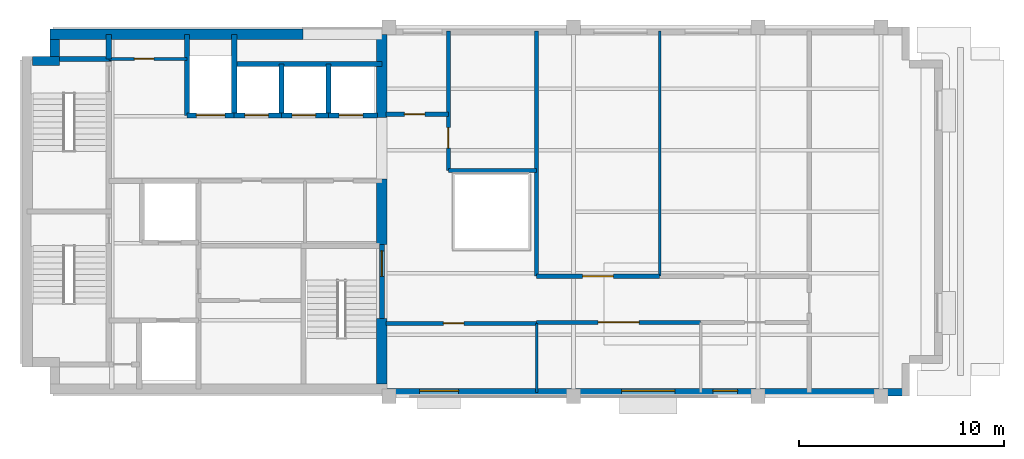
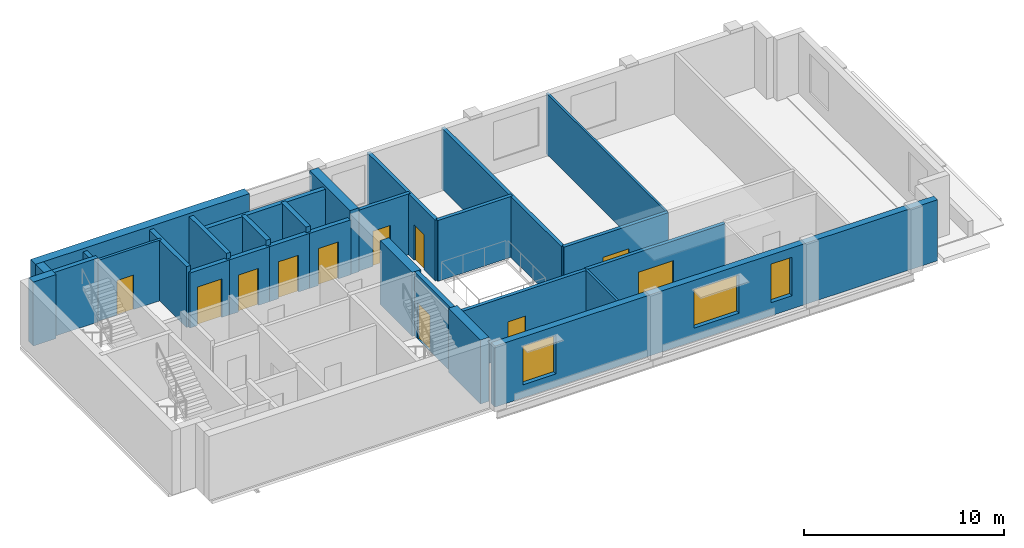
# One storey, part 3 of 5: 29 walls, 11 doors, 3 windows, 14 openings.
"""IFC4 building model written with IfcOpenShell, lengths in metres."""

from ifc_helpers import new_model, si_unit, direction, frame, frame_2d, origin, place, context, subcontext, project, spatial, rectangle, extrude, material, layer, layer_set, type_object, element, fill, save


model = new_model("IFC4")

# Units and contexts
model_context = context("Model", 3, precision=1e-05, world=origin(), true_north=direction((0.0, 1.0)))
body_context = subcontext(model_context, "Body", "Model", "MODEL_VIEW")
ifc_project = project(units=[si_unit("LENGTHUNIT", "METRE"), si_unit("AREAUNIT", "SQUARE_METRE"), si_unit("VOLUMEUNIT", "CUBIC_METRE"), si_unit("PLANEANGLEUNIT", "RADIAN"), si_unit("MASSUNIT", "GRAM", prefix="KILO")], contexts=[model_context])

# Site, building, storey
site_placement = place(None, origin())
site = spatial("IfcSite", under=ifc_project, at=site_placement, CompositionType="ELEMENT")
building_placement = place(site_placement, origin())
building = spatial("IfcBuilding", under=site, at=building_placement, Name="Mawjdan Bourse Tower", CompositionType="ELEMENT")
storey_placement = place(building_placement, frame((0.0, 0.0, 285.89990234375)))
storey = spatial("IfcBuildingStorey", under=building, at=storey_placement, Name="L70", CompositionType="ELEMENT", Elevation=285.89990234375)

# Wall, openings, windows
ifc_material_1 = material(Name="Brick Masonry Terracotta Red", Category="masonry")
ifc_layer_1 = layer(ifc_material_1, 0.3798828125)
ifc_layer_set_1 = layer_set([ifc_layer_1], Name="Brick Masonry Terracotta Red")
wall_type_1 = type_object("IfcWallType", Name="WL-BRK-RED-380", PredefinedType="STANDARD", material=ifc_layer_set_1)
wall_1_placement = place(storey_placement, frame((23.89990234375, 3.18994140625, 0.0), z_axis=(0.0, 0.0, 1.0), x_axis=(1.0, 0.0, 0.0)))
wall_1 = element("IfcWall", 1, at=wall_1_placement, inside=storey, type_object=wall_type_1, Name="L70 Exterior Brick Wall 1", PredefinedType="STANDARD", context=body_context, shape_type="SweptSolid", body=[
    extrude(rectangle(XDim=25.5, YDim=0.3798828125, at=frame_2d((12.75, 0.0))), origin(), (0.0, 0.0, 1.0), 3.715087890625),
])
opening_1_placement = place(wall_1_placement, frame((1.60009765625, 0.0, 0.800048828125)))
opening_1 = element("IfcOpeningElement", 2, at=opening_1_placement, cuts=wall_1, Name="Opening W-L70-01", PredefinedType="OPENING", context=body_context, shape_type="SweptSolid", body=[
    extrude(rectangle(XDim=1.89990234375, YDim=2.35009765625, at=frame_2d((0.949951171875, 1.175048828125))), frame((0.0, 0.199951171875, 0.0), z_axis=(0.0, -1.0, 0.0), x_axis=(1.0, 0.0, 0.0)), (0.0, 0.0, 1.0), 0.39990234375),
])
opening_2_placement = place(wall_1_placement, frame((11.449951171875, 0.0, 0.800048828125)))
opening_2 = element("IfcOpeningElement", 3, at=opening_2_placement, cuts=wall_1, Name="Opening W-L70-02", PredefinedType="OPENING", context=body_context, shape_type="SweptSolid", body=[
    extrude(rectangle(XDim=2.60009765625, YDim=2.35009765625, at=frame_2d((1.300048828125, 1.175048828125))), frame((0.0, 0.199951171875, 0.0), z_axis=(0.0, -1.0, 0.0), x_axis=(1.0, 0.0, 0.0)), (0.0, 0.0, 1.0), 0.39990234375),
])
opening_3_placement = place(wall_1_placement, frame((15.904296875, 0.0, 0.800048828125)))
opening_3 = element("IfcOpeningElement", 4, at=opening_3_placement, cuts=wall_1, Name="Opening W-L70-06", PredefinedType="OPENING", context=body_context, shape_type="SweptSolid", body=[
    extrude(rectangle(XDim=1.199951171875, YDim=2.35009765625, at=frame_2d((0.60009765625, 1.175048828125))), frame((0.0, 0.199951171875, 0.0), z_axis=(0.0, -1.0, 0.0), x_axis=(1.0, 0.0, 0.0)), (0.0, 0.0, 1.0), 0.39990234375),
])
ifc_material_2 = material(Name="Solar-Control Clear Double Glazing", Category="glass")
window_type_1 = type_object("IfcWindowType", Name="WN-SMT-1200", PartitioningType="SINGLE_PANEL", PredefinedType="WINDOW", material=ifc_material_2)
window_1_placement = place(opening_3_placement, origin())
window_1 = element("IfcWindow", 5, at=window_1_placement, inside=storey, type_object=window_type_1, Name="L70 Deep-Set Masonry Window W-L70-06", OverallHeight=2.35009765625, OverallWidth=1.199951171875, PartitioningType="SINGLE_PANEL", PredefinedType="WINDOW", context=body_context, shape_type="SweptSolid", body=[
    extrude(rectangle(XDim=1.199951171875, YDim=2.35009765625, at=frame_2d((0.60009765625, 1.175048828125))), frame((0.0, 0.110107421875, 0.0), z_axis=(0.0, -1.0, 0.0), x_axis=(1.0, 0.0, 0.0)), (0.0, 0.0, 1.0), 0.06005859375),
])
fill(opening_3, window_1)
window_type_2 = type_object("IfcWindowType", Name="WN-SMT-1900", PartitioningType="SINGLE_PANEL", PredefinedType="WINDOW", material=ifc_material_2)
window_2_placement = place(opening_1_placement, origin())
window_2 = element("IfcWindow", 6, at=window_2_placement, inside=storey, type_object=window_type_2, Name="L70 Deep-Set Masonry Window W-L70-01", OverallHeight=2.35009765625, OverallWidth=1.89990234375, PartitioningType="SINGLE_PANEL", PredefinedType="WINDOW", context=body_context, shape_type="SweptSolid", body=[
    extrude(rectangle(XDim=1.89990234375, YDim=2.35009765625, at=frame_2d((0.949951171875, 1.175048828125))), frame((0.0, 0.110107421875, 0.0), z_axis=(0.0, -1.0, 0.0), x_axis=(1.0, 0.0, 0.0)), (0.0, 0.0, 1.0), 0.06005859375),
])
fill(opening_1, window_2)
window_type_3 = type_object("IfcWindowType", Name="WN-SMT-2600", PartitioningType="SINGLE_PANEL", PredefinedType="WINDOW", material=ifc_material_2)
window_3_placement = place(opening_2_placement, origin())
window_3 = element("IfcWindow", 7, at=window_3_placement, inside=storey, type_object=window_type_3, Name="L70 Deep-Set Masonry Window W-L70-02", OverallHeight=2.35009765625, OverallWidth=2.60009765625, PartitioningType="SINGLE_PANEL", PredefinedType="WINDOW", context=body_context, shape_type="SweptSolid", body=[
    extrude(rectangle(XDim=2.60009765625, YDim=2.35009765625, at=frame_2d((1.300048828125, 1.175048828125))), frame((0.0, 0.110107421875, 0.0), z_axis=(0.0, -1.0, 0.0), x_axis=(1.0, 0.0, 0.0)), (0.0, 0.0, 1.0), 0.06005859375),
])
fill(opening_2, window_3)

# Wall, opening, door
ifc_material_3 = material(Name="Gypsum Fireboard Assembly")
ifc_layer_2 = layer(ifc_material_3, 0.199951171875)
ifc_layer_set_2 = layer_set([ifc_layer_2], Name="Gypsum Fireboard Assembly")
wall_type_2 = type_object("IfcWallType", Name="WL-CMP-200", PredefinedType="PARTITIONING", material=ifc_layer_set_2)
wall_2_placement = place(storey_placement, frame((23.85009765625, 6.550048828125, 0.0), z_axis=(0.0, 0.0, 1.0), x_axis=(1.0, 0.0, 0.0)))
wall_2 = element("IfcWall", 8, at=wall_2_placement, inside=storey, type_object=wall_type_2, Name="L70 Summit Throat South Wall", PredefinedType="PARTITIONING", context=body_context, shape_type="SweptSolid", body=[
    extrude(rectangle(XDim=7.349853515625, YDim=0.199951171875, at=frame_2d((3.6748046875, 0.0))), origin(), (0.0, 0.0, 1.0), 3.705078125),
])
opening_4_placement = place(wall_2_placement, frame((2.800048828125, 0.0, 0.0)))
opening_4 = element("IfcOpeningElement", 9, at=opening_4_placement, cuts=wall_2, Name="Opening D-L70-17", PredefinedType="OPENING", context=body_context, shape_type="SweptSolid", body=[
    extrude(rectangle(XDim=1.0, YDim=2.14990234375, at=frame_2d((0.5, 1.074951171875))), frame((0.0, 0.10986328125, 0.0), z_axis=(0.0, -1.0, 0.0), x_axis=(1.0, 0.0, 0.0)), (0.0, 0.0, 1.0), 0.219970703125),
])
ifc_material_4 = material(Name="Hardwood Acoustic Leaf", Category="wood")
door_type_1 = type_object("IfcDoorType", Name="DR-OFC-1000", OperationType="NOTDEFINED", PredefinedType="DOOR", material=ifc_material_4)
door_1_placement = place(opening_4_placement, origin())
door_1 = element("IfcDoor", 10, at=door_1_placement, inside=storey, type_object=door_type_1, Name="L70 Summit Throat South Room Door D-L70-17", OperationType="SINGLE_SWING_LEFT", OverallHeight=2.14990234375, OverallWidth=1.0, PredefinedType="DOOR", context=body_context, shape_type="SweptSolid", body=[
    extrude(rectangle(XDim=1.0, YDim=2.14990234375, at=frame_2d((0.5, 1.074951171875))), frame((0.0, 0.02490234375, 0.0), z_axis=(0.0, -1.0, 0.0), x_axis=(1.0, 0.0, 0.0)), (0.0, 0.0, 1.0), 0.050048828125),
])
fill(opening_4, door_1)

wall_3_placement = place(storey_placement, frame((23.85009765625, 16.75, 0.0), z_axis=(0.0, 0.0, 1.0), x_axis=(1.0, 0.0, 0.0)))
wall_3 = element("IfcWall", 11, at=wall_3_placement, inside=storey, type_object=wall_type_2, Name="L70 Summit NW Study South Wall", PredefinedType="PARTITIONING", context=body_context, shape_type="SweptSolid", body=[
    extrude(rectangle(XDim=3.0498046875, YDim=0.199951171875, at=frame_2d((1.52490234375, 0.0))), origin(), (0.0, 0.0, 1.0), 3.705078125),
])
opening_5_placement = place(wall_3_placement, frame((0.89990234375, 0.0, 0.0)))
opening_5 = element("IfcOpeningElement", 12, at=opening_5_placement, cuts=wall_3, Name="Opening D-L70-18", PredefinedType="OPENING", context=body_context, shape_type="SweptSolid", body=[
    extrude(rectangle(XDim=1.0, YDim=2.14990234375, at=frame_2d((0.5, 1.074951171875))), frame((0.0, 0.10986328125, 0.0), z_axis=(0.0, -1.0, 0.0), x_axis=(1.0, 0.0, 0.0)), (0.0, 0.0, 1.0), 0.219970703125),
])
door_2_placement = place(opening_5_placement, origin())
door_2 = element("IfcDoor", 13, at=door_2_placement, inside=storey, type_object=door_type_1, Name="L70 Summit NW Study Door D-L70-18", OperationType="SINGLE_SWING_RIGHT", OverallHeight=2.14990234375, OverallWidth=1.0, PredefinedType="DOOR", context=body_context, shape_type="SweptSolid", body=[
    extrude(rectangle(XDim=1.0, YDim=2.14990234375, at=frame_2d((0.5, 1.074951171875))), frame((0.0, 0.02490234375, 0.0), z_axis=(0.0, -1.0, 0.0), x_axis=(1.0, 0.0, 0.0)), (0.0, 0.0, 1.0), 0.050048828125),
])
fill(opening_5, door_2)

wall_4_placement = place(storey_placement, frame((26.89990234375, 14.0, 0.0), z_axis=(0.0, 0.0, 1.0), x_axis=(0.0, 1.0, 0.0)))
wall_4 = element("IfcWall", 14, at=wall_4_placement, inside=storey, type_object=wall_type_2, Name="L70 Summit North Atrium Suite West Wall", PredefinedType="PARTITIONING", context=body_context, shape_type="SweptSolid", body=[
    extrude(rectangle(XDim=6.820068359375, YDim=0.199951171875, at=frame_2d((3.41015625, 0.0))), origin(), (0.0, 0.0, 1.0), 3.705078125),
])
opening_6_placement = place(wall_4_placement, frame((1.10009765625, 0.0, 0.0)))
opening_6 = element("IfcOpeningElement", 15, at=opening_6_placement, cuts=wall_4, Name="Opening D-L70-19", PredefinedType="OPENING", context=body_context, shape_type="SweptSolid", body=[
    extrude(rectangle(XDim=1.0, YDim=2.14990234375, at=frame_2d((0.5, 1.074951171875))), frame((0.0, 0.10986328125, 0.0), z_axis=(0.0, -1.0, 0.0), x_axis=(1.0, 0.0, 0.0)), (0.0, 0.0, 1.0), 0.219970703125),
])
door_3_placement = place(opening_6_placement, origin())
door_3 = element("IfcDoor", 16, at=door_3_placement, inside=storey, type_object=door_type_1, Name="L70 Summit North Atrium Suite Door D-L70-19", OperationType="SINGLE_SWING_LEFT", OverallHeight=2.14990234375, OverallWidth=1.0, PredefinedType="DOOR", context=body_context, shape_type="SweptSolid", body=[
    extrude(rectangle(XDim=1.0, YDim=2.14990234375, at=frame_2d((0.5, 1.074951171875))), frame((0.0, 0.02490234375, 0.0), z_axis=(0.0, -1.0, 0.0), x_axis=(1.0, 0.0, 0.0)), (0.0, 0.0, 1.0), 0.050048828125),
])
fill(opening_6, door_3)

# Walls
wall_5_placement = place(storey_placement, frame((26.89990234375, 14.0, 0.0), z_axis=(0.0, 0.0, 1.0), x_axis=(1.0, 0.0, 0.0)))
element("IfcWall", 17, at=wall_5_placement, inside=storey, type_object=wall_type_2, Name="L70 Summit North Atrium Suite South Wall", PredefinedType="PARTITIONING", context=body_context, shape_type="SweptSolid", body=[
    extrude(rectangle(XDim=4.300048828125, YDim=0.199951171875, at=frame_2d((2.14990234375, 0.0))), origin(), (0.0, 0.0, 1.0), 3.705078125),
])
wall_6_placement = place(storey_placement, frame((31.199951171875, 8.85009765625, 0.0), z_axis=(0.0, 0.0, 1.0), x_axis=(0.0, 1.0, 0.0)))
element("IfcWall", 18, at=wall_6_placement, inside=storey, type_object=wall_type_2, Name="L70 Summit North Atrium Suite East Wall", PredefinedType="PARTITIONING", context=body_context, shape_type="SweptSolid", body=[
    extrude(rectangle(XDim=11.969970703125, YDim=0.199951171875, at=frame_2d((5.98486328125, 0.0))), origin(), (0.0, 0.0, 1.0), 3.705078125),
])

# Wall, opening, door
wall_7_placement = place(storey_placement, frame((31.199951171875, 6.60009765625, 0.0), z_axis=(0.0, 0.0, 1.0), x_axis=(1.0, 0.0, 0.0)))
wall_7 = element("IfcWall", 19, at=wall_7_placement, inside=storey, type_object=wall_type_2, Name="L70 Summit Investment Hall Corridor Wall", PredefinedType="PARTITIONING", context=body_context, shape_type="SweptSolid", body=[
    extrude(rectangle(XDim=8.0, YDim=0.199951171875, at=frame_2d((4.0, 0.0))), origin(), (0.0, 0.0, 1.0), 3.705078125),
])
opening_7_placement = place(wall_7_placement, frame((3.0, 0.0, 0.0)))
opening_7 = element("IfcOpeningElement", 20, at=opening_7_placement, cuts=wall_7, Name="Opening D-L70-20", PredefinedType="OPENING", context=body_context, shape_type="SweptSolid", body=[
    extrude(rectangle(XDim=2.0, YDim=2.5, at=frame_2d((1.0, 1.25))), frame((0.0, 0.10986328125, 0.0), z_axis=(0.0, -1.0, 0.0), x_axis=(1.0, 0.0, 0.0)), (0.0, 0.0, 1.0), 0.219970703125),
])
ifc_material_5 = material(Name="Acoustic Veneered Timber", Category="wood")
door_type_2 = type_object("IfcDoorType", Name="DR-ASM-2000", OperationType="DOUBLE_DOOR_SINGLE_SWING", PredefinedType="DOOR", material=ifc_material_5)
door_4_placement = place(opening_7_placement, origin())
door_4 = element("IfcDoor", 21, at=door_4_placement, inside=storey, type_object=door_type_2, Name="L70 Summit Investment Hall Door D-L70-20", OperationType="DOUBLE_DOOR_SINGLE_SWING", OverallHeight=2.5, OverallWidth=2.0, PredefinedType="DOOR", context=body_context, shape_type="SweptSolid", body=[
    extrude(rectangle(XDim=2.0, YDim=2.5, at=frame_2d((1.0, 1.25))), frame((0.0, 0.02490234375, 0.0), z_axis=(0.0, -1.0, 0.0), x_axis=(1.0, 0.0, 0.0)), (0.0, 0.0, 1.0), 0.050048828125),
])
fill(opening_7, door_4)

wall_8_placement = place(storey_placement, frame((31.199951171875, 8.85009765625, 0.0), z_axis=(0.0, 0.0, 1.0), x_axis=(1.0, 0.0, 0.0)))
wall_8 = element("IfcWall", 22, at=wall_8_placement, inside=storey, type_object=wall_type_2, Name="L70 Conference Room Corridor Wall", PredefinedType="PARTITIONING", context=body_context, shape_type="SweptSolid", body=[
    extrude(rectangle(XDim=6.0, YDim=0.199951171875, at=frame_2d((3.0, 0.0))), origin(), (0.0, 0.0, 1.0), 3.705078125),
])
opening_8_placement = place(wall_8_placement, frame((2.25, 0.0, 0.0)))
opening_8 = element("IfcOpeningElement", 23, at=opening_8_placement, cuts=wall_8, Name="Opening D-L70-22", PredefinedType="OPENING", context=body_context, shape_type="SweptSolid", body=[
    extrude(rectangle(XDim=1.5, YDim=2.300048828125, at=frame_2d((0.75, 1.14990234375))), frame((0.0, 0.10986328125, 0.0), z_axis=(0.0, -1.0, 0.0), x_axis=(1.0, 0.0, 0.0)), (0.0, 0.0, 1.0), 0.219970703125),
])
ifc_material_6 = material(Name="Acoustic Glazed Timber", Category="wood")
door_type_3 = type_object("IfcDoorType", Name="DR-CNF-1500", OperationType="DOUBLE_DOOR_SINGLE_SWING", PredefinedType="DOOR", material=ifc_material_6)
door_5_placement = place(opening_8_placement, origin())
door_5 = element("IfcDoor", 24, at=door_5_placement, inside=storey, type_object=door_type_3, Name="L70 Conference Room Door D-L70-22", OperationType="DOUBLE_DOOR_SINGLE_SWING", OverallHeight=2.300048828125, OverallWidth=1.5, PredefinedType="DOOR", context=body_context, shape_type="SweptSolid", body=[
    extrude(rectangle(XDim=1.5, YDim=2.300048828125, at=frame_2d((0.75, 1.14990234375))), frame((0.0, 0.02490234375, 0.0), z_axis=(0.0, -1.0, 0.0), x_axis=(1.0, 0.0, 0.0)), (0.0, 0.0, 1.0), 0.050048828125),
])
fill(opening_8, door_5)

# Walls
ifc_material_7 = material(Name="Concrete C60/75", Category="concrete")
ifc_layer_3 = layer(ifc_material_7, 0.449951171875)
ifc_layer_set_3 = layer_set([ifc_layer_3], Name="Concrete C60/75")
wall_type_3 = type_object("IfcWallType", Name="WL-CORE-450", PredefinedType="SHEAR", material=ifc_layer_set_3)
wall_9_placement = place(storey_placement, frame((6.60009765625, 19.35009765625, 0.0), z_axis=(0.0, 0.0, 1.0), x_axis=(1.0, 0.0, 0.0)))
element("IfcWall", 25, at=wall_9_placement, inside=storey, type_object=wall_type_3, Name="L70 Rear Core Shear Wall NW-X", PredefinedType="SHEAR", context=body_context, shape_type="SweptSolid", body=[
    extrude(rectangle(XDim=1.324951171875, YDim=0.449951171875, at=frame_2d((0.66259765625, 0.0))), origin(), (0.0, 0.0, 1.0), 3.900146484375),
])
wall_10_placement = place(storey_placement, frame((7.699951171875, 19.574951171875, 0.0), z_axis=(0.0, 0.0, 1.0), x_axis=(0.0, 1.0, 0.0)))
element("IfcWall", 26, at=wall_10_placement, inside=storey, type_object=wall_type_3, Name="L70 Rear Core Shear Wall NW-Y", PredefinedType="SHEAR", context=body_context, shape_type="SweptSolid", body=[
    extrude(rectangle(XDim=0.824951171875, YDim=0.449951171875, at=frame_2d((0.41259765625, 0.0))), origin(), (0.0, 0.0, 1.0), 3.900146484375),
])
ifc_layer_4 = layer(ifc_material_7, 0.5)
ifc_layer_set_4 = layer_set([ifc_layer_4], Name="Concrete C60/75")
wall_type_4 = type_object("IfcWallType", Name="WL-CORE-500", PredefinedType="SHEAR", material=ifc_layer_set_4)
wall_11_placement = place(storey_placement, frame((7.47509765625, 20.64990234375, 0.0), z_axis=(0.0, 0.0, 1.0), x_axis=(1.0, 0.0, 0.0)))
element("IfcWall", 27, at=wall_11_placement, inside=storey, type_object=wall_type_4, Name="L70 Rear Core Shear Wall N", PredefinedType="SHEAR", context=body_context, shape_type="SweptSolid", body=[
    extrude(rectangle(XDim=12.324951171875, YDim=0.5, at=frame_2d((6.16259765625, 0.0))), origin(), (0.0, 0.0, 1.0), 3.900146484375),
])
wall_12_placement = place(storey_placement, frame((23.64990234375, 3.60009765625, 0.0), z_axis=(0.0, 0.0, 1.0), x_axis=(0.0, 1.0, 0.0)))
element("IfcWall", 28, at=wall_12_placement, inside=storey, type_object=wall_type_4, Name="L70 Rear Core Shear Wall E1", PredefinedType="SHEAR", context=body_context, shape_type="SweptSolid", body=[
    extrude(rectangle(XDim=3.199951171875, YDim=0.5, at=frame_2d((1.60009765625, 0.0))), origin(), (0.0, 0.0, 1.0), 3.900146484375),
])
wall_13_placement = place(storey_placement, frame((23.64990234375, 10.39990234375, 0.0), z_axis=(0.0, 0.0, 1.0), x_axis=(0.0, 1.0, 0.0)))
element("IfcWall", 29, at=wall_13_placement, inside=storey, type_object=wall_type_4, Name="L70 Rear Core Shear Wall E2", PredefinedType="SHEAR", context=body_context, shape_type="SweptSolid", body=[
    extrude(rectangle(XDim=3.2001953125, YDim=0.5, at=frame_2d((1.60009765625, 0.0))), origin(), (0.0, 0.0, 1.0), 3.900146484375),
])
wall_14_placement = place(storey_placement, frame((23.64990234375, 16.60009765625, 0.0), z_axis=(0.0, 0.0, 1.0), x_axis=(0.0, 1.0, 0.0)))
element("IfcWall", 30, at=wall_14_placement, inside=storey, type_object=wall_type_4, Name="L70 Rear Core Shear Wall E3", PredefinedType="SHEAR", context=body_context, shape_type="SweptSolid", body=[
    extrude(rectangle(XDim=4.0498046875, YDim=0.5, at=frame_2d((2.02490234375, 0.0))), origin(), (0.0, 0.0, 1.0), 3.900146484375),
])
ifc_material_8 = material(Name="Gypsum Partition")
ifc_layer_5 = layer(ifc_material_8, 0.125)
ifc_layer_set_5 = layer_set([ifc_layer_5], Name="Gypsum Partition")
wall_type_5 = type_object("IfcWallType", Name="WL-PRT-125", PredefinedType="PARTITIONING", material=ifc_layer_set_5)
wall_15_placement = place(storey_placement, frame((31.199951171875, 3.179931640625, 0.0), z_axis=(0.0, 0.0, 1.0), x_axis=(0.0, 1.0, 0.0)))
element("IfcWall", 31, at=wall_15_placement, inside=storey, type_object=wall_type_5, Name="L70 Summit Throat South Return", PredefinedType="PARTITIONING", context=body_context, shape_type="SweptSolid", body=[
    extrude(rectangle(XDim=3.3701171875, YDim=0.125, at=frame_2d((1.68505859375, 0.0))), origin(), (0.0, 0.0, 1.0), 3.705078125),
])
wall_16_placement = place(storey_placement, frame((37.199951171875, 8.85009765625, 0.0), z_axis=(0.0, 0.0, 1.0), x_axis=(0.0, 1.0, 0.0)))
element("IfcWall", 32, at=wall_16_placement, inside=storey, type_object=wall_type_5, Name="L70 Chief Risk Officer Office Partition", PredefinedType="PARTITIONING", context=body_context, shape_type="SweptSolid", body=[
    extrude(rectangle(XDim=11.969970703125, YDim=0.125, at=frame_2d((5.98486328125, 0.0))), origin(), (0.0, 0.0, 1.0), 3.705078125),
])

# Wall, opening, door
ifc_material_9 = material(Name="Gypsum Acoustic Partition")
ifc_layer_6 = layer(ifc_material_9, 0.14990234375)
ifc_layer_set_6 = layer_set([ifc_layer_6], Name="Gypsum Acoustic Partition")
wall_type_6 = type_object("IfcWallType", Name="WL-PRT-150", PredefinedType="PARTITIONING", material=ifc_layer_set_6)
wall_17_placement = place(storey_placement, frame((10.330078125, 19.449951171875, 0.0), z_axis=(0.0, 0.0, 1.0), x_axis=(1.0, 0.0, 0.0)))
wall_17 = element("IfcWall", 33, at=wall_17_placement, inside=storey, type_object=wall_type_6, Name="L70 Housekeeping South Wall", PredefinedType="PARTITIONING", context=body_context, shape_type="SweptSolid", body=[
    extrude(rectangle(XDim=3.81982421875, YDim=0.14990234375, at=frame_2d((1.909912109375, 0.0))), origin(), (0.0, 0.0, 1.0), 3.705078125),
])
opening_9_placement = place(wall_17_placement, frame((1.25, 0.0, 0.0)))
opening_9 = element("IfcOpeningElement", 34, at=opening_9_placement, cuts=wall_17, Name="Opening D-L70-16", PredefinedType="OPENING", context=body_context, shape_type="SweptSolid", body=[
    extrude(rectangle(XDim=0.949951171875, YDim=2.10009765625, at=frame_2d((0.47509765625, 1.050048828125))), frame((0.0, 0.0849609375, 0.0), z_axis=(0.0, -1.0, 0.0), x_axis=(1.0, 0.0, 0.0)), (0.0, 0.0, 1.0), 0.169921875),
])
ifc_material_10 = material(Name="Moisture-Resistant Laminate Timber", Category="wood")
door_type_4 = type_object("IfcDoorType", Name="DR-WET-0950", OperationType="NOTDEFINED", PredefinedType="DOOR", material=ifc_material_10)
door_6_placement = place(opening_9_placement, origin())
door_6 = element("IfcDoor", 35, at=door_6_placement, inside=storey, type_object=door_type_4, Name="L70 Housekeeping Closet Door D-L70-16", OperationType="SINGLE_SWING_RIGHT", OverallHeight=2.10009765625, OverallWidth=0.949951171875, PredefinedType="DOOR", context=body_context, shape_type="SweptSolid", body=[
    extrude(rectangle(XDim=0.949951171875, YDim=2.10009765625, at=frame_2d((0.47509765625, 1.050048828125))), frame((0.0, 0.02490234375, 0.0), z_axis=(0.0, -1.0, 0.0), x_axis=(1.0, 0.0, 0.0)), (0.0, 0.0, 1.0), 0.050048828125),
])
fill(opening_9, door_6)

# Wall
ifc_material_11 = material(Name="Concrete C50/60", Category="concrete")
ifc_layer_7 = layer(ifc_material_11, 0.25)
ifc_layer_set_7 = layer_set([ifc_layer_7], Name="Concrete C50/60")
wall_type_7 = type_object("IfcWallType", Name="WL-SHFT-250", PredefinedType="PARTITIONING", material=ifc_layer_set_7)
wall_18_placement = place(storey_placement, frame((10.330078125, 19.449951171875, 0.0), z_axis=(0.0, 0.0, 1.0), x_axis=(0.0, 1.0, 0.0)))
element("IfcWall", 36, at=wall_18_placement, inside=storey, type_object=wall_type_7, Name="L70 NW Riser East Wall", PredefinedType="PARTITIONING", context=body_context, shape_type="SweptSolid", body=[
    extrude(rectangle(XDim=1.199951171875, YDim=0.25, at=frame_2d((0.60009765625, 0.0))), origin(), (0.0, 0.0, 1.0), 3.705078125),
])

# Wall, opening, door
wall_19_placement = place(storey_placement, frame((14.14990234375, 16.699951171875, 0.0), z_axis=(0.0, 0.0, 1.0), x_axis=(1.0, 0.0, 0.0)))
wall_19 = element("IfcWall", 37, at=wall_19_placement, inside=storey, type_object=wall_type_7, Name="L70 SVL-01 Front Shaft Wall", PredefinedType="PARTITIONING", context=body_context, shape_type="SweptSolid", body=[
    extrude(rectangle(XDim=2.300048828125, YDim=0.25, at=frame_2d((1.14990234375, 0.0))), origin(), (0.0, 0.0, 1.0), 3.35400390625),
])
opening_10_placement = place(wall_19_placement, frame((0.449951171875, 0.0, 0.0)))
opening_10 = element("IfcOpeningElement", 38, at=opening_10_placement, cuts=wall_19, Name="Opening LD-L70-09", PredefinedType="OPENING", context=body_context, shape_type="SweptSolid", body=[
    extrude(rectangle(XDim=1.39990234375, YDim=2.35009765625, at=frame_2d((0.699951171875, 1.175048828125))), frame((0.0, 0.135009765625, 0.0), z_axis=(0.0, -1.0, 0.0), x_axis=(1.0, 0.0, 0.0)), (0.0, 0.0, 1.0), 0.27001953125),
])
ifc_material_12 = material(Name="Heavy-Duty Stainless Steel", Category="steel")
door_type_5 = type_object("IfcDoorType", Name="LD-SRV-1400", OperationType="DOUBLE_DOOR_SLIDING", PredefinedType="DOOR", material=ifc_material_12)
door_7_placement = place(opening_10_placement, origin())
door_7 = element("IfcDoor", 39, at=door_7_placement, inside=storey, type_object=door_type_5, Name="L70 Service Lift SVL-01 Landing Door LD-L70-09", OperationType="DOUBLE_DOOR_SLIDING", OverallHeight=2.35009765625, OverallWidth=1.39990234375, PredefinedType="DOOR", context=body_context, shape_type="SweptSolid", body=[
    extrude(rectangle(XDim=1.39990234375, YDim=2.35009765625, at=frame_2d((0.699951171875, 1.175048828125))), frame((0.0, 0.02490234375, 0.0), z_axis=(0.0, -1.0, 0.0), x_axis=(1.0, 0.0, 0.0)), (0.0, 0.0, 1.0), 0.050048828125),
])
fill(opening_10, door_7)

# Walls
for number, where, z_axis, x_axis, name in (
    (40, (14.14990234375, 16.699951171875, 0.0), (0.0, 0.0, 1.0), (0.0, 1.0, 0.0), "L70 SVL-01 West Shaft Wall"),
    (41, (16.449951171875, 16.699951171875, 0.0), (0.0, 0.0, 1.0), (0.0, 1.0, 0.0), "L70 SVL-01 East Shaft Wall"),
):
    element("IfcWall", number, at=place(storey_placement, frame(where, z_axis=z_axis, x_axis=x_axis)), inside=storey, type_object=wall_type_7, Name=name, PredefinedType="PARTITIONING", context=body_context, shape_type="SweptSolid", body=[
        extrude(rectangle(XDim=3.949951171875, YDim=0.25, at=frame_2d((1.97509765625, 0.0))), origin(), (0.0, 0.0, 1.0), 3.705078125),
    ])

# Wall, opening, door
wall_20_placement = place(storey_placement, frame((16.449951171875, 16.699951171875, 0.0), z_axis=(0.0, 0.0, 1.0), x_axis=(1.0, 0.0, 0.0)))
wall_20 = element("IfcWall", 42, at=wall_20_placement, inside=storey, type_object=wall_type_7, Name="L70 PH-01 Front Wall", PredefinedType="PARTITIONING", context=body_context, shape_type="SweptSolid", body=[
    extrude(rectangle(XDim=2.300048828125, YDim=0.25, at=frame_2d((1.14990234375, 0.0))), origin(), (0.0, 0.0, 1.0), 3.35400390625),
])
opening_11_placement = place(wall_20_placement, frame((0.52001953125, 0.0, 0.0)))
opening_11 = element("IfcOpeningElement", 43, at=opening_11_placement, cuts=wall_20, Name="Opening LD-L70-10", PredefinedType="OPENING", context=body_context, shape_type="SweptSolid", body=[
    extrude(rectangle(XDim=1.14990234375, YDim=2.25, at=frame_2d((0.574951171875, 1.125))), frame((0.0, 0.135009765625, 0.0), z_axis=(0.0, -1.0, 0.0), x_axis=(1.0, 0.0, 0.0)), (0.0, 0.0, 1.0), 0.27001953125),
])
ifc_material_13 = material(Name="Brushed Stainless Steel", Category="steel")
door_type_6 = type_object("IfcDoorType", Name="LD-PAS-1150", OperationType="DOUBLE_DOOR_SLIDING", PredefinedType="DOOR", material=ifc_material_13)
door_8_placement = place(opening_11_placement, origin())
door_8 = element("IfcDoor", 44, at=door_8_placement, inside=storey, type_object=door_type_6, Name="L70 Lift PH-01 Landing Door LD-L70-10", OperationType="DOUBLE_DOOR_SLIDING", OverallHeight=2.25, OverallWidth=1.14990234375, PredefinedType="DOOR", context=body_context, shape_type="SweptSolid", body=[
    extrude(rectangle(XDim=1.14990234375, YDim=2.25, at=frame_2d((0.574951171875, 1.125))), frame((0.0, 0.02490234375, 0.0), z_axis=(0.0, -1.0, 0.0), x_axis=(1.0, 0.0, 0.0)), (0.0, 0.0, 1.0), 0.050048828125),
])
fill(opening_11, door_8)

# Wall
wall_21_placement = place(storey_placement, frame((18.75, 16.699951171875, 0.0), z_axis=(0.0, 0.0, 1.0), x_axis=(0.0, 1.0, 0.0)))
element("IfcWall", 45, at=wall_21_placement, inside=storey, type_object=wall_type_7, Name="L70 PH-01 Divider Wall", PredefinedType="PARTITIONING", context=body_context, shape_type="SweptSolid", body=[
    extrude(rectangle(XDim=2.5, YDim=0.25, at=frame_2d((1.25, 0.0))), origin(), (0.0, 0.0, 1.0), 3.705078125),
])

# Wall, opening, door
wall_22_placement = place(storey_placement, frame((18.75, 16.699951171875, 0.0), z_axis=(0.0, 0.0, 1.0), x_axis=(1.0, 0.0, 0.0)))
wall_22 = element("IfcWall", 46, at=wall_22_placement, inside=storey, type_object=wall_type_7, Name="L70 PH-02 Front Wall", PredefinedType="PARTITIONING", context=body_context, shape_type="SweptSolid", body=[
    extrude(rectangle(XDim=2.300048828125, YDim=0.25, at=frame_2d((1.14990234375, 0.0))), origin(), (0.0, 0.0, 1.0), 3.35400390625),
])
opening_12_placement = place(wall_22_placement, frame((0.52001953125, 0.0, 0.0)))
opening_12 = element("IfcOpeningElement", 47, at=opening_12_placement, cuts=wall_22, Name="Opening LD-L70-11", PredefinedType="OPENING", context=body_context, shape_type="SweptSolid", body=[
    extrude(rectangle(XDim=1.14990234375, YDim=2.25, at=frame_2d((0.574951171875, 1.125))), frame((0.0, 0.135009765625, 0.0), z_axis=(0.0, -1.0, 0.0), x_axis=(1.0, 0.0, 0.0)), (0.0, 0.0, 1.0), 0.27001953125),
])
door_9_placement = place(opening_12_placement, origin())
door_9 = element("IfcDoor", 48, at=door_9_placement, inside=storey, type_object=door_type_6, Name="L70 Lift PH-02 Landing Door LD-L70-11", OperationType="DOUBLE_DOOR_SLIDING", OverallHeight=2.25, OverallWidth=1.14990234375, PredefinedType="DOOR", context=body_context, shape_type="SweptSolid", body=[
    extrude(rectangle(XDim=1.14990234375, YDim=2.25, at=frame_2d((0.574951171875, 1.125))), frame((0.0, 0.02490234375, 0.0), z_axis=(0.0, -1.0, 0.0), x_axis=(1.0, 0.0, 0.0)), (0.0, 0.0, 1.0), 0.050048828125),
])
fill(opening_12, door_9)

# Wall
wall_23_placement = place(storey_placement, frame((21.050048828125, 16.699951171875, 0.0), z_axis=(0.0, 0.0, 1.0), x_axis=(0.0, 1.0, 0.0)))
element("IfcWall", 49, at=wall_23_placement, inside=storey, type_object=wall_type_7, Name="L70 PH-02 Divider Wall", PredefinedType="PARTITIONING", context=body_context, shape_type="SweptSolid", body=[
    extrude(rectangle(XDim=2.5, YDim=0.25, at=frame_2d((1.25, 0.0))), origin(), (0.0, 0.0, 1.0), 3.705078125),
])

# Wall, opening, door
wall_24_placement = place(storey_placement, frame((21.050048828125, 16.699951171875, 0.0), z_axis=(0.0, 0.0, 1.0), x_axis=(1.0, 0.0, 0.0)))
wall_24 = element("IfcWall", 50, at=wall_24_placement, inside=storey, type_object=wall_type_7, Name="L70 PH-03 Front Wall", PredefinedType="PARTITIONING", context=body_context, shape_type="SweptSolid", body=[
    extrude(rectangle(XDim=2.39990234375, YDim=0.25, at=frame_2d((1.199951171875, 0.0))), origin(), (0.0, 0.0, 1.0), 3.35400390625),
])
opening_13_placement = place(wall_24_placement, frame((0.52001953125, 0.0, 0.0)))
opening_13 = element("IfcOpeningElement", 51, at=opening_13_placement, cuts=wall_24, Name="Opening LD-L70-12", PredefinedType="OPENING", context=body_context, shape_type="SweptSolid", body=[
    extrude(rectangle(XDim=1.14990234375, YDim=2.25, at=frame_2d((0.574951171875, 1.125))), frame((0.0, 0.135009765625, 0.0), z_axis=(0.0, -1.0, 0.0), x_axis=(1.0, 0.0, 0.0)), (0.0, 0.0, 1.0), 0.27001953125),
])
door_10_placement = place(opening_13_placement, origin())
door_10 = element("IfcDoor", 52, at=door_10_placement, inside=storey, type_object=door_type_6, Name="L70 Lift PH-03 Landing Door LD-L70-12", OperationType="DOUBLE_DOOR_SLIDING", OverallHeight=2.25, OverallWidth=1.14990234375, PredefinedType="DOOR", context=body_context, shape_type="SweptSolid", body=[
    extrude(rectangle(XDim=1.14990234375, YDim=2.25, at=frame_2d((0.574951171875, 1.125))), frame((0.0, 0.02490234375, 0.0), z_axis=(0.0, -1.0, 0.0), x_axis=(1.0, 0.0, 0.0)), (0.0, 0.0, 1.0), 0.050048828125),
])
fill(opening_13, door_10)

# Walls
wall_25_placement = place(storey_placement, frame((16.449951171875, 19.199951171875, 0.0), z_axis=(0.0, 0.0, 1.0), x_axis=(1.0, 0.0, 0.0)))
element("IfcWall", 53, at=wall_25_placement, inside=storey, type_object=wall_type_7, Name="L70 PH Bank North Shaft Back Wall", PredefinedType="PARTITIONING", context=body_context, shape_type="SweptSolid", body=[
    extrude(rectangle(XDim=7.199951171875, YDim=0.25, at=frame_2d((3.60009765625, 0.0))), origin(), (0.0, 0.0, 1.0), 3.705078125),
])
ifc_layer_8 = layer(ifc_material_11, 0.25)
ifc_layer_set_8 = layer_set([ifc_layer_8], Name="Concrete C50/60")
wall_type_8 = type_object("IfcWallType", Name="WL-STRW-250", PredefinedType="SHEAR", material=ifc_layer_set_8)
wall_26_placement = place(storey_placement, frame((7.699951171875, 19.449951171875, 0.0), z_axis=(0.0, 0.0, 1.0), x_axis=(1.0, 0.0, 0.0)))
element("IfcWall", 54, at=wall_26_placement, inside=storey, type_object=wall_type_8, Name="L70 Stairwell ST2 North Shaft Wall", PredefinedType="SHEAR", context=body_context, shape_type="SweptSolid", body=[
    extrude(rectangle(XDim=2.755126953125, YDim=0.25, at=frame_2d((1.37744140625, 0.0))), origin(), (0.0, 0.0, 1.0), 3.900146484375),
])

# Wall, opening, door
wall_27_placement = place(storey_placement, frame((23.64990234375, 6.800048828125, 0.0), z_axis=(0.0, 0.0, 1.0), x_axis=(0.0, 1.0, 0.0)))
wall_27 = element("IfcWall", 55, at=wall_27_placement, inside=storey, type_object=wall_type_8, Name="L70 ST7 East Shaft Wall", PredefinedType="SHEAR", context=body_context, shape_type="SweptSolid", body=[
    extrude(rectangle(XDim=3.599853515625, YDim=0.25, at=frame_2d((1.7998046875, 0.0))), origin(), (0.0, 0.0, 1.0), 3.900146484375),
])
opening_14_placement = place(wall_27_placement, frame((2.0400390625, 0.0, 0.0)))
opening_14 = element("IfcOpeningElement", 56, at=opening_14_placement, cuts=wall_27, Name="Opening SD-L70-25", PredefinedType="OPENING", context=body_context, shape_type="SweptSolid", body=[
    extrude(rectangle(XDim=1.25, YDim=2.199951171875, at=frame_2d((0.625, 1.10009765625))), frame((0.0, 0.135009765625, 0.0), z_axis=(0.0, -1.0, 0.0), x_axis=(1.0, 0.0, 0.0)), (0.0, 0.0, 1.0), 0.27001953125),
])
ifc_material_14 = material(Name="Fire-Rated Steel Leaf", Category="steel")
door_type_7 = type_object("IfcDoorType", Name="FD-ST-1250", OperationType="NOTDEFINED", PredefinedType="DOOR", material=ifc_material_14)
door_11_placement = place(opening_14_placement, origin())
door_11 = element("IfcDoor", 57, at=door_11_placement, inside=storey, type_object=door_type_7, Name="L70 Stair ST7 Fire Door SD-L70-25", OperationType="SINGLE_SWING_LEFT", OverallHeight=2.199951171875, OverallWidth=1.25, PredefinedType="DOOR", context=body_context, shape_type="SweptSolid", body=[
    extrude(rectangle(XDim=1.25, YDim=2.199951171875, at=frame_2d((0.625, 1.10009765625))), frame((0.0, 0.02490234375, 0.0), z_axis=(0.0, -1.0, 0.0), x_axis=(1.0, 0.0, 0.0)), (0.0, 0.0, 1.0), 0.050048828125),
])
fill(opening_14, door_11)

save(model, "model.ifc")
